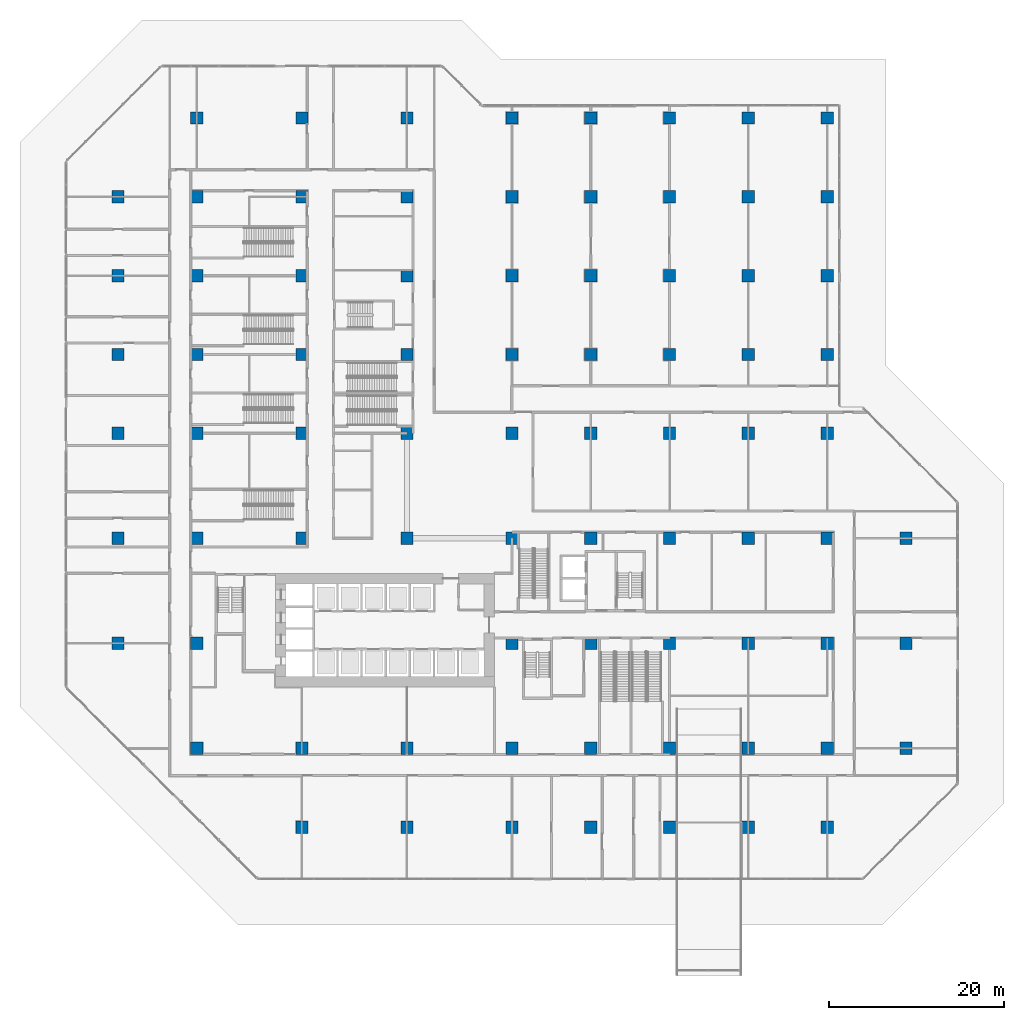
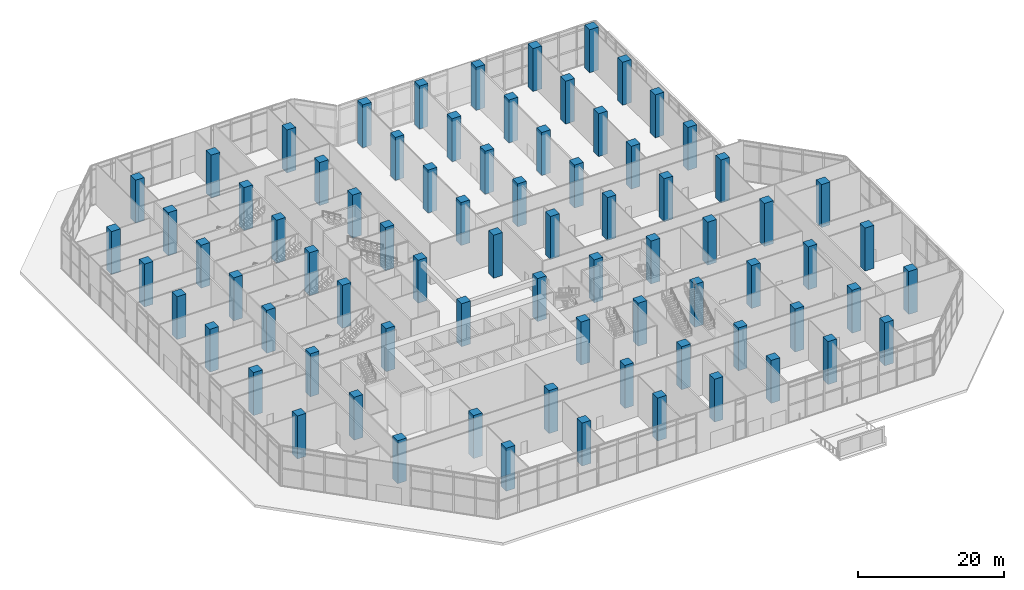
# One storey, part 1 of 34: 78 columns.
"""IFC4 building model written with IfcOpenShell, lengths in metres."""

import ifcopenshell
import ifcopenshell.guid

model = None  # the IFC model being written
_history = None  # IfcOwnerHistory: only IFC2X3 demands one
_inside = {}  # id of a spatial element -> (the spatial element, [elements in it])
_under = {}  # id of a project, library or spatial element -> (it, [spatial elements below it])
_declared = {}  # id of a project -> (the project, [libraries it declares])
_typed = {}  # id of a type object -> (the type object, [elements of that type])
_made_of = {}  # id of a material, layer set ... -> (it, [elements and type objects made of it])


def new_model(schema):
    """Start an empty IFC model of exactly this schema.

    Asked for "IFC4X3", IfcOpenShell would pick the latest addendum, in which some entities
    have other attributes; the version numbers below select the first issue.
    IFC2X3 requires an IfcOwnerHistory on every rooted entity: one is made here for all.
    """
    global model, _history
    if schema == "IFC4X3":
        model = ifcopenshell.file(schema_version=(4, 3, 0, 0))
    else:
        model = ifcopenshell.file(schema=schema)
    _inside.clear()
    _under.clear()
    _declared.clear()
    _typed.clear()
    _made_of.clear()
    _history = None
    if model.schema == "IFC2X3":
        org = make("IfcOrganization", Name="unknown")
        user = make(
            "IfcPersonAndOrganization",
            ThePerson=make("IfcPerson", FamilyName="unknown"),
            TheOrganization=org,
        )
        app = make(
            "IfcApplication",
            ApplicationDeveloper=org,
            Version="unknown",
            ApplicationFullName="unknown",
            ApplicationIdentifier="unknown",
        )
        _history = make(
            "IfcOwnerHistory",
            OwningUser=user,
            OwningApplication=app,
            ChangeAction="ADDED",
            CreationDate=0,
        )
    return model


def make(cls, **values):
    """One entity of the class cls with the attributes given. An attribute that is None is left unset."""
    return model.create_entity(
        cls, **{name: value for name, value in values.items() if value is not None}
    )


def rooted(cls, **values):
    """An entity with a GlobalId (a new one), such as an element, a storey or a relation."""
    return make(cls, GlobalId=ifcopenshell.guid.new(), OwnerHistory=_history, **values)


def si_unit(unit_type, name, prefix=None):
    """IfcSIUnit, for example si_unit("LENGTHUNIT", "METRE", prefix="MILLI")."""
    return make("IfcSIUnit", UnitType=unit_type, Prefix=prefix, Name=name)


def assignment(units):
    """IfcUnitAssignment: the units of a project."""
    return None if units is None else make("IfcUnitAssignment", Units=units)


def point(xyz):
    """IfcCartesianPoint."""
    return None if xyz is None else make("IfcCartesianPoint", Coordinates=xyz)


def direction(xyz):
    """IfcDirection."""
    return None if xyz is None else make("IfcDirection", DirectionRatios=xyz)


def frame(location, z_axis=None, x_axis=None):
    """IfcAxis2Placement3D, a coordinate frame: its origin and axes. An axis left out is left unset."""
    return make(
        "IfcAxis2Placement3D",
        Location=point(location),
        Axis=direction(z_axis),
        RefDirection=direction(x_axis),
    )


def frame_2d(location, x_axis=None):
    """IfcAxis2Placement2D, a coordinate frame in the plane: its origin and x axis."""
    return make(
        "IfcAxis2Placement2D", Location=point(location), RefDirection=direction(x_axis)
    )


def origin():
    """The frame at (0, 0, 0) with its axes left unset."""
    return frame((0.0, 0.0, 0.0))


def origin_2d():
    """The frame at (0, 0) in the plane with its x axis left unset."""
    return frame_2d((0.0, 0.0))


def place(relative_to, where):
    """IfcLocalPlacement: puts the frame where relative to a parent placement (None: the world)."""
    return make(
        "IfcLocalPlacement", PlacementRelTo=relative_to, RelativePlacement=where
    )


def context(
    kind, dimensions, precision=None, world=None, true_north=None, identifier=None
):
    """IfcGeometricRepresentationContext, for example the 3D "Model" context."""
    return make(
        "IfcGeometricRepresentationContext",
        ContextIdentifier=identifier,
        ContextType=kind,
        CoordinateSpaceDimension=dimensions,
        Precision=precision,
        WorldCoordinateSystem=world,
        TrueNorth=true_north,
    )


def subcontext(parent, identifier, kind, view, scale=None):
    """IfcGeometricRepresentationSubContext, for example "Body" below "Model"."""
    return make(
        "IfcGeometricRepresentationSubContext",
        ContextIdentifier=identifier,
        ContextType=kind,
        ParentContext=parent,
        TargetScale=scale,
        TargetView=view,
    )


def project(units=None, contexts=None):
    """IfcProject with its units and contexts."""
    return rooted(
        "IfcProject",
        Name="project",
        RepresentationContexts=contexts,
        UnitsInContext=assignment(units),
    )


def spatial(cls, under=None, at=None, **own):
    """A site, building, storey or space (cls), placed at a placement, below another one or the project."""
    s = rooted(cls, ObjectPlacement=at, **own)
    if under is not None:
        _under.setdefault(under.id(), (under, []))[1].append(s)
    return s


def profile(cls, at=None, kind="AREA", **sizes):
    """A parametric profile (cls). Its sizes go by their IFC names, for example OverallWidth=200.0."""
    return make(cls, ProfileType=kind, Position=at, **sizes)


def rectangle(**sizes):
    """IfcRectangleProfileDef."""
    return profile("IfcRectangleProfileDef", **sizes)


def extrude(swept, where, along, depth):
    """IfcExtrudedAreaSolid: the profile swept, set in the frame where, extruded along a direction by depth."""
    return make(
        "IfcExtrudedAreaSolid",
        SweptArea=swept,
        Position=where,
        ExtrudedDirection=direction(along),
        Depth=depth,
    )


def shape(context_of_items, identifier, shape_type, items):
    """IfcShapeRepresentation: the items that make up one representation, for example the "Body"."""
    return make(
        "IfcShapeRepresentation",
        ContextOfItems=context_of_items,
        RepresentationIdentifier=identifier,
        RepresentationType=shape_type,
        Items=items,
    )


def material(Name=None, Category=None):
    """IfcMaterial."""
    return make("IfcMaterial", Name=Name, Category=Category)


def material_profile(
    of_material, cross_section, Name=None, Category=None, Priority=None
):
    """IfcMaterialProfile: a cross section and its material."""
    return make(
        "IfcMaterialProfile",
        Name=Name,
        Material=of_material,
        Profile=cross_section,
        Priority=Priority,
        Category=Category,
    )


def profile_set(profiles, Name=None, composite=None):
    """IfcMaterialProfileSet."""
    return make(
        "IfcMaterialProfileSet",
        Name=Name,
        MaterialProfiles=profiles,
        CompositeProfile=composite,
    )


def made_of(thing, what):
    """Note that an element or type object is made of a material, layer set ...; save() writes the relation."""
    if what is not None:
        _made_of.setdefault(what.id(), (what, []))[1].append(thing)
    return thing


def type_object(cls, material=None, **own):
    """A type object (cls), such as IfcWallType, which elements share."""
    return made_of(rooted(cls, **own), material)


def element(
    cls,
    number,
    at=None,
    inside=None,
    cuts=None,
    type_object=None,
    material=None,
    context=None,
    identifier="Body",
    shape_type=None,
    held_by="IfcProductDefinitionShape",
    body=None,
    shapes=None,
    **own,
):
    """One element of the class cls, such as IfcWall. Its Tag is "e" and its number.

    at: its placement. inside: the storey or other place that contains it. cuts: it is an
    opening in that element (IfcRelVoidsElement). A single representation is given by context,
    identifier, shape_type and body (its items); several are given by shapes. held_by: the class
    of the entity that holds the representations. save() writes the other relations.
    """
    e = rooted(cls, Tag="e%d" % number, ObjectPlacement=at, **own)
    if body is not None:
        shapes = [shape(context, identifier, shape_type, body)]
    if shapes is not None:
        e.Representation = make(held_by, Representations=shapes)
    if inside is not None:
        _inside.setdefault(inside.id(), (inside, []))[1].append(e)
    if cuts is not None:
        rooted(
            "IfcRelVoidsElement", RelatingBuildingElement=cuts, RelatedOpeningElement=e
        )
    if type_object is not None:
        _typed.setdefault(type_object.id(), (type_object, []))[1].append(e)
    return made_of(e, material)


def aggregate(whole, parts):
    """IfcRelAggregates: a whole, such as a stair, and the parts it consists of."""
    return rooted("IfcRelAggregates", RelatingObject=whole, RelatedObjects=parts)


def save(model, path):
    """Write the relations noted so far, then the file.

    IfcRelAggregates (storeys below a building ...), IfcRelContainedInSpatialStructure (elements
    in a storey), IfcRelDefinesByType, IfcRelAssociatesMaterial and IfcRelDeclares: one each for
    every whole, place, type object, material and project.
    """
    for whole, parts in _under.values():
        aggregate(whole, parts)
    for where, things in _inside.values():
        rooted(
            "IfcRelContainedInSpatialStructure",
            RelatedElements=things,
            RelatingStructure=where,
        )
    for kind, things in _typed.values():
        rooted("IfcRelDefinesByType", RelatedObjects=things, RelatingType=kind)
    for what, things in _made_of.values():
        rooted("IfcRelAssociatesMaterial", RelatedObjects=things, RelatingMaterial=what)
    for by, libraries in _declared.values():
        rooted("IfcRelDeclares", RelatingContext=by, RelatedDefinitions=libraries)
    model.write(path)


model = new_model("IFC4")

# Units and contexts
model_context = context("Model", 3, precision=1e-05, world=origin(), true_north=direction((0.0, 1.0)))
body_context = subcontext(model_context, "Body", "Model", "MODEL_VIEW")
ifc_project = project(units=[si_unit("LENGTHUNIT", "METRE"), si_unit("AREAUNIT", "SQUARE_METRE"), si_unit("VOLUMEUNIT", "CUBIC_METRE"), si_unit("PLANEANGLEUNIT", "RADIAN"), si_unit("MASSUNIT", "GRAM", prefix="KILO")], contexts=[model_context])

# Site, building, storey
site_placement = place(None, origin())
site = spatial("IfcSite", under=ifc_project, at=site_placement, CompositionType="ELEMENT")
building_placement = place(site_placement, origin())
building = spatial("IfcBuilding", under=site, at=building_placement, Name="Chenar Terraces", CompositionType="ELEMENT")
storey_placement = place(building_placement, origin())
storey = spatial("IfcBuildingStorey", under=building, at=storey_placement, Name="L00", CompositionType="ELEMENT", Elevation=0.0)

# Columns
ifc_material = material(Name="Concrete C60/75", Category="concrete")
ifc_material_profile = material_profile(ifc_material, rectangle(XDim=1.39990234375, YDim=1.39990234375, at=origin_2d()), Name="C 1400 x 1400")
ifc_profile_set = profile_set([ifc_material_profile], Name="Concrete C60/75")
column_type = type_object("IfcColumnType", Name="Column C 1400 x 1400 Concrete C60/75", PredefinedType="COLUMN", material=ifc_profile_set)
for number, where, z_axis, x_axis, name in (
    (1, (12.0, -9.0, 0.0), (0.0, 0.0, 1.0), (1.0, 0.0, 0.0), "Column 6/D L00"),
    (2, (24.0, -9.0, 0.0), (0.0, 0.0, 1.0), (1.0, 0.0, 0.0), "Column 7/D L00"),
    (3, (36.0, -9.0, 0.0), (0.0, 0.0, 1.0), (1.0, 0.0, 0.0), "Column 8/D L00"),
    (4, (45.0, -9.0, 0.0), (0.0, 0.0, 1.0), (1.0, 0.0, 0.0), "Column 9/D L00"),
    (5, (54.0, -9.0, 0.0), (0.0, 0.0, 1.0), (1.0, 0.0, 0.0), "Column 10/D L00"),
    (6, (63.0, -9.0, 0.0), (0.0, 0.0, 1.0), (1.0, 0.0, 0.0), "Column 11/D L00"),
    (7, (72.0, -9.0, 0.0), (0.0, 0.0, 1.0), (1.0, 0.0, 0.0), "Column 12/D L00"),
    (8, (0.0, 0.0, 0.0), (0.0, 0.0, 1.0), (1.0, 0.0, 0.0), "Column 5/E L00"),
    (9, (12.0, 0.0, 0.0), (0.0, 0.0, 1.0), (1.0, 0.0, 0.0), "Column 6/E L00"),
    (10, (24.0, 0.0, 0.0), (0.0, 0.0, 1.0), (1.0, 0.0, 0.0), "Column 7/E L00"),
    (11, (36.0, 0.0, 0.0), (0.0, 0.0, 1.0), (1.0, 0.0, 0.0), "Column 8/E L00"),
    (12, (45.0, 0.0, 0.0), (0.0, 0.0, 1.0), (1.0, 0.0, 0.0), "Column 9/E L00"),
    (13, (54.0, 0.0, 0.0), (0.0, 0.0, 1.0), (1.0, 0.0, 0.0), "Column 10/E L00"),
    (14, (63.0, 0.0, 0.0), (0.0, 0.0, 1.0), (1.0, 0.0, 0.0), "Column 11/E L00"),
    (15, (72.0, 0.0, 0.0), (0.0, 0.0, 1.0), (1.0, 0.0, 0.0), "Column 12/E L00"),
    (16, (81.0, 0.0, 0.0), (0.0, 0.0, 1.0), (1.0, 0.0, 0.0), "Column 13/E L00"),
    (17, (-9.0, 12.0, 0.0), (0.0, 0.0, 1.0), (1.0, 0.0, 0.0), "Column 4/F L00"),
    (18, (0.0, 12.0, 0.0), (0.0, 0.0, 1.0), (1.0, 0.0, 0.0), "Column 5/F L00"),
    (19, (36.0, 12.0, 0.0), (0.0, 0.0, 1.0), (1.0, 0.0, 0.0), "Column 8/F L00"),
    (20, (45.0, 12.0, 0.0), (0.0, 0.0, 1.0), (1.0, 0.0, 0.0), "Column 9/F L00"),
    (21, (54.0, 12.0, 0.0), (0.0, 0.0, 1.0), (1.0, 0.0, 0.0), "Column 10/F L00"),
    (22, (63.0, 12.0, 0.0), (0.0, 0.0, 1.0), (1.0, 0.0, 0.0), "Column 11/F L00"),
    (23, (72.0, 12.0, 0.0), (0.0, 0.0, 1.0), (1.0, 0.0, 0.0), "Column 12/F L00"),
    (24, (81.0, 12.0, 0.0), (0.0, 0.0, 1.0), (1.0, 0.0, 0.0), "Column 13/F L00"),
    (25, (-9.0, 24.0, 0.0), (0.0, 0.0, 1.0), (1.0, 0.0, 0.0), "Column 4/G L00"),
    (26, (0.0, 24.0, 0.0), (0.0, 0.0, 1.0), (1.0, 0.0, 0.0), "Column 5/G L00"),
    (27, (12.0, 24.0, 0.0), (0.0, 0.0, 1.0), (1.0, 0.0, 0.0), "Column 6/G L00"),
    (28, (24.0, 24.0, 0.0), (0.0, 0.0, 1.0), (1.0, 0.0, 0.0), "Column 7/G L00"),
    (29, (36.0, 24.0, 0.0), (0.0, 0.0, 1.0), (1.0, 0.0, 0.0), "Column 8/G L00"),
    (30, (45.0, 24.0, 0.0), (0.0, 0.0, 1.0), (1.0, 0.0, 0.0), "Column 9/G L00"),
    (31, (54.0, 24.0, 0.0), (0.0, 0.0, 1.0), (1.0, 0.0, 0.0), "Column 10/G L00"),
    (32, (63.0, 24.0, 0.0), (0.0, 0.0, 1.0), (1.0, 0.0, 0.0), "Column 11/G L00"),
    (33, (72.0, 24.0, 0.0), (0.0, 0.0, 1.0), (1.0, 0.0, 0.0), "Column 12/G L00"),
    (34, (81.0, 24.0, 0.0), (0.0, 0.0, 1.0), (1.0, 0.0, 0.0), "Column 13/G L00"),
    (35, (-9.0, 36.0, 0.0), (0.0, 0.0, 1.0), (1.0, 0.0, 0.0), "Column 4/H L00"),
    (36, (0.0, 36.0, 0.0), (0.0, 0.0, 1.0), (1.0, 0.0, 0.0), "Column 5/H L00"),
    (37, (12.0, 36.0, 0.0), (0.0, 0.0, 1.0), (1.0, 0.0, 0.0), "Column 6/H L00"),
    (38, (24.0, 36.0, 0.0), (0.0, 0.0, 1.0), (1.0, 0.0, 0.0), "Column 7/H L00"),
    (39, (36.0, 36.0, 0.0), (0.0, 0.0, 1.0), (1.0, 0.0, 0.0), "Column 8/H L00"),
    (40, (45.0, 36.0, 0.0), (0.0, 0.0, 1.0), (1.0, 0.0, 0.0), "Column 9/H L00"),
    (41, (54.0, 36.0, 0.0), (0.0, 0.0, 1.0), (1.0, 0.0, 0.0), "Column 10/H L00"),
    (42, (63.0, 36.0, 0.0), (0.0, 0.0, 1.0), (1.0, 0.0, 0.0), "Column 11/H L00"),
    (43, (72.0, 36.0, 0.0), (0.0, 0.0, 1.0), (1.0, 0.0, 0.0), "Column 12/H L00"),
    (44, (-9.0, 45.0, 0.0), (0.0, 0.0, 1.0), (1.0, 0.0, 0.0), "Column 4/J L00"),
    (45, (0.0, 45.0, 0.0), (0.0, 0.0, 1.0), (1.0, 0.0, 0.0), "Column 5/J L00"),
    (46, (12.0, 45.0, 0.0), (0.0, 0.0, 1.0), (1.0, 0.0, 0.0), "Column 6/J L00"),
    (47, (24.0, 45.0, 0.0), (0.0, 0.0, 1.0), (1.0, 0.0, 0.0), "Column 7/J L00"),
    (48, (36.0, 45.0, 0.0), (0.0, 0.0, 1.0), (1.0, 0.0, 0.0), "Column 8/J L00"),
    (49, (45.0, 45.0, 0.0), (0.0, 0.0, 1.0), (1.0, 0.0, 0.0), "Column 9/J L00"),
    (50, (54.0, 45.0, 0.0), (0.0, 0.0, 1.0), (1.0, 0.0, 0.0), "Column 10/J L00"),
    (51, (63.0, 45.0, 0.0), (0.0, 0.0, 1.0), (1.0, 0.0, 0.0), "Column 11/J L00"),
    (52, (72.0, 45.0, 0.0), (0.0, 0.0, 1.0), (1.0, 0.0, 0.0), "Column 12/J L00"),
    (53, (-9.0, 54.0, 0.0), (0.0, 0.0, 1.0), (1.0, 0.0, 0.0), "Column 4/K L00"),
    (54, (0.0, 54.0, 0.0), (0.0, 0.0, 1.0), (1.0, 0.0, 0.0), "Column 5/K L00"),
    (55, (12.0, 54.0, 0.0), (0.0, 0.0, 1.0), (1.0, 0.0, 0.0), "Column 6/K L00"),
    (56, (24.0, 54.0, 0.0), (0.0, 0.0, 1.0), (1.0, 0.0, 0.0), "Column 7/K L00"),
    (57, (36.0, 54.0, 0.0), (0.0, 0.0, 1.0), (1.0, 0.0, 0.0), "Column 8/K L00"),
    (58, (45.0, 54.0, 0.0), (0.0, 0.0, 1.0), (1.0, 0.0, 0.0), "Column 9/K L00"),
    (59, (54.0, 54.0, 0.0), (0.0, 0.0, 1.0), (1.0, 0.0, 0.0), "Column 10/K L00"),
    (60, (63.0, 54.0, 0.0), (0.0, 0.0, 1.0), (1.0, 0.0, 0.0), "Column 11/K L00"),
    (61, (72.0, 54.0, 0.0), (0.0, 0.0, 1.0), (1.0, 0.0, 0.0), "Column 12/K L00"),
    (62, (-9.0, 63.0, 0.0), (0.0, 0.0, 1.0), (1.0, 0.0, 0.0), "Column 4/L L00"),
    (63, (0.0, 63.0, 0.0), (0.0, 0.0, 1.0), (1.0, 0.0, 0.0), "Column 5/L L00"),
    (64, (12.0, 63.0, 0.0), (0.0, 0.0, 1.0), (1.0, 0.0, 0.0), "Column 6/L L00"),
    (65, (24.0, 63.0, 0.0), (0.0, 0.0, 1.0), (1.0, 0.0, 0.0), "Column 7/L L00"),
    (66, (36.0, 63.0, 0.0), (0.0, 0.0, 1.0), (1.0, 0.0, 0.0), "Column 8/L L00"),
    (67, (45.0, 63.0, 0.0), (0.0, 0.0, 1.0), (1.0, 0.0, 0.0), "Column 9/L L00"),
    (68, (54.0, 63.0, 0.0), (0.0, 0.0, 1.0), (1.0, 0.0, 0.0), "Column 10/L L00"),
    (69, (63.0, 63.0, 0.0), (0.0, 0.0, 1.0), (1.0, 0.0, 0.0), "Column 11/L L00"),
    (70, (72.0, 63.0, 0.0), (0.0, 0.0, 1.0), (1.0, 0.0, 0.0), "Column 12/L L00"),
    (71, (0.0, 72.0, 0.0), (0.0, 0.0, 1.0), (1.0, 0.0, 0.0), "Column 5/M L00"),
    (72, (12.0, 72.0, 0.0), (0.0, 0.0, 1.0), (1.0, 0.0, 0.0), "Column 6/M L00"),
    (73, (24.0, 72.0, 0.0), (0.0, 0.0, 1.0), (1.0, 0.0, 0.0), "Column 7/M L00"),
    (74, (36.0, 72.0, 0.0), (0.0, 0.0, 1.0), (1.0, 0.0, 0.0), "Column 8/M L00"),
    (75, (45.0, 72.0, 0.0), (0.0, 0.0, 1.0), (1.0, 0.0, 0.0), "Column 9/M L00"),
    (76, (54.0, 72.0, 0.0), (0.0, 0.0, 1.0), (1.0, 0.0, 0.0), "Column 10/M L00"),
    (77, (63.0, 72.0, 0.0), (0.0, 0.0, 1.0), (1.0, 0.0, 0.0), "Column 11/M L00"),
    (78, (72.0, 72.0, 0.0), (0.0, 0.0, 1.0), (1.0, 0.0, 0.0), "Column 12/M L00"),
):
    element("IfcColumn", number, at=place(storey_placement, frame(where, z_axis=z_axis, x_axis=x_axis)), inside=storey, type_object=column_type, Name=name, PredefinedType="COLUMN", context=body_context, shape_type="SweptSolid", body=[
        extrude(rectangle(XDim=1.39990234375, YDim=1.39990234375, at=origin_2d()), origin(), (0.0, 0.0, 1.0), 7.199951171875),
    ])

save(model, "model.ifc")
